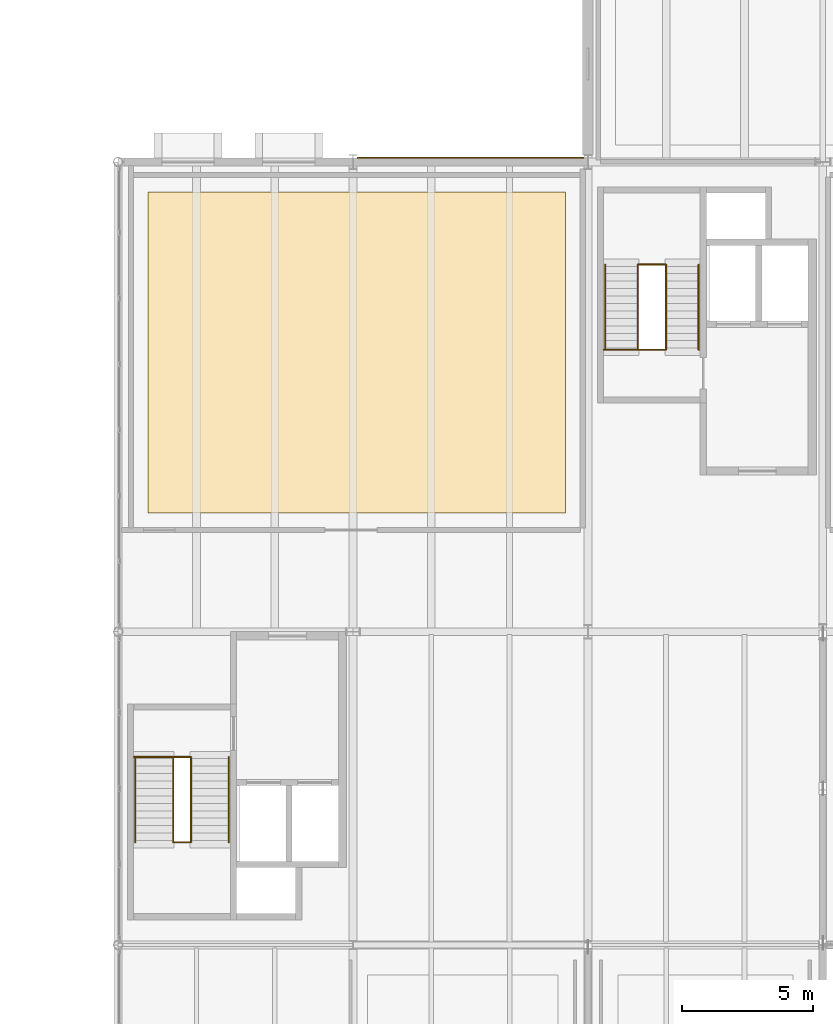
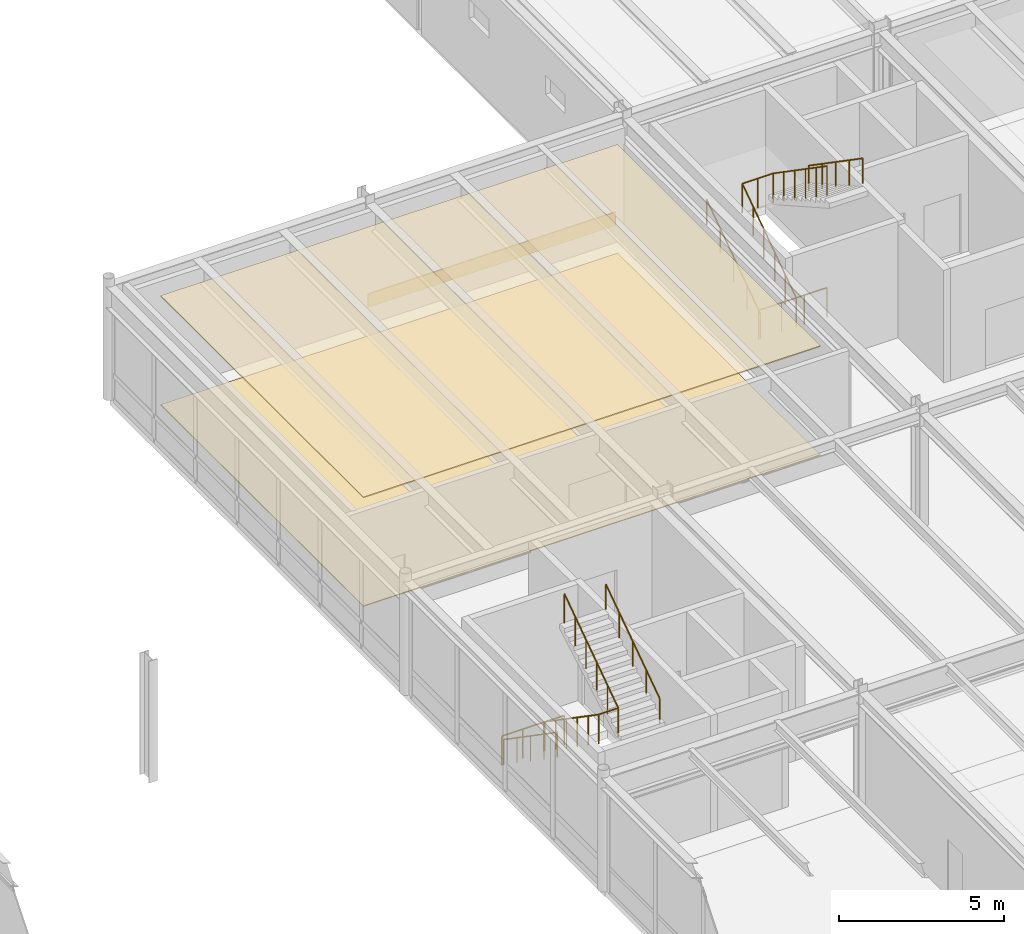
# One storey, part 125 of 127: 12 railings, 3 coverings.
"""IFC4 building model written with IfcOpenShell, lengths in metres."""

from ifc_helpers import new_model, si_unit, direction, frame, origin, origin_2d, place, context, subcontext, project, spatial, polyline, rectangle, circle, outline, extrude, material, layer, layer_set, type_object, element, save


model = new_model("IFC4")

# Units and contexts
model_context = context("Model", 3, precision=1e-05, world=origin(), true_north=direction((0.0, 1.0)))
body_context = subcontext(model_context, "Body", "Model", "MODEL_VIEW")
ifc_project = project(units=[si_unit("LENGTHUNIT", "METRE"), si_unit("AREAUNIT", "SQUARE_METRE"), si_unit("VOLUMEUNIT", "CUBIC_METRE"), si_unit("PLANEANGLEUNIT", "RADIAN"), si_unit("MASSUNIT", "GRAM", prefix="KILO")], contexts=[model_context])

# Site, building, storey
site_placement = place(None, origin())
site = spatial("IfcSite", under=ifc_project, at=site_placement, CompositionType="ELEMENT")
building_placement = place(site_placement, origin())
building = spatial("IfcBuilding", under=site, at=building_placement, Name="Montelvaro Courts of Justice", CompositionType="ELEMENT")
storey_placement = place(building_placement, frame((0.0, 0.0, 5.39990234375)))
storey = spatial("IfcBuildingStorey", under=building, at=storey_placement, Name="L01", CompositionType="ELEMENT", Elevation=5.39990234375)

# Coverings
ifc_material_1 = material(Name="Perforated acoustic gypsum ceiling")
ifc_layer_1 = layer(ifc_material_1, 0.0400390625)
ifc_layer_set_1 = layer_set([ifc_layer_1], Name="Perforated acoustic gypsum ceiling")
covering_type_1 = type_object("IfcCoveringType", Name="AcousticCeiling_Court", PredefinedType="CEILING", material=ifc_layer_set_1)
covering_1_placement = place(storey_placement, frame((0.0, 0.0, 4.02001953125)))
element("IfcCovering", 1, at=covering_1_placement, inside=storey, type_object=covering_type_1, Name="Acoustic Ceiling Panel AC-01 (L01-17)", PredefinedType="CEILING", context=body_context, shape_type="SweptSolid", body=[
    extrude(outline(polyline([(116.14990234375, 82.550048828125), (100.14990234375, 82.550048828125), (100.14990234375, 94.85009765625), (116.14990234375, 94.85009765625), (116.14990234375, 82.550048828125)])), origin(), (0.0, 0.0, 1.0), 0.0400390625),
])
ifc_material_2 = material(Name="White mineral precast concrete C45/55", Category="concrete")
ifc_layer_2 = layer(ifc_material_2, 0.0400390625)
ifc_layer_set_2 = layer_set([ifc_layer_2], Name="White mineral precast concrete C45/55")
covering_type_2 = type_object("IfcCoveringType", Name="BarCladding_GFRC", PredefinedType="CLADDING", material=ifc_layer_set_2)
covering_2_placement = place(storey_placement, frame((112.5, 96.162109375, 0.030029296875), z_axis=(0.0, 0.0, 1.0), x_axis=(-1.0, 0.0, 0.0)))
element("IfcCovering", 2, at=covering_2_placement, inside=storey, type_object=covering_type_2, Name="Horizontal White Bar Spandrel Cladding CL-01-004", PredefinedType="CLADDING", context=body_context, shape_type="SweptSolid", body=[
    extrude(rectangle(XDim=8.68408203125, YDim=0.0400390625, at=origin_2d()), origin(), (0.0, 0.0, 1.0), 0.5),
])

# Railings
ifc_material_3 = material(Name="Steel S355", Category="steel")
railing_type_1 = type_object("IfcRailingType", Name="InteriorGuard_1100", PredefinedType="BALUSTRADE", material=ifc_material_3)
railing_1_placement = place(storey_placement, frame((117.60009765625, 88.800048828125, 0.0)))
element("IfcRailing", 3, at=railing_1_placement, inside=storey, type_object=railing_type_1, Name="Stair Well Guard GR-02 ST-K3-L00-TLG", PredefinedType="BALUSTRADE", context=body_context, shape_type="SweptSolid", body=[
    extrude(circle(Radius=0.02392578125, at=origin_2d()), frame((0.0, 0.0, 1.076171875), z_axis=(1.0, 0.0, 0.0), x_axis=(0.0, 1.0, 0.0)), (0.0, 0.0, 1.0), 2.389892578125),
    extrude(circle(Radius=0.02099609375, at=origin_2d()), origin(), (0.0, 0.0, 1.0), 1.052001953125),
    extrude(circle(Radius=0.02099609375, at=origin_2d()), frame((0.796630859375, 0.0, 0.0)), (0.0, 0.0, 1.0), 1.052001953125),
    extrude(circle(Radius=0.02099609375, at=origin_2d()), frame((1.59326171875, 0.0, 0.0)), (0.0, 0.0, 1.0), 1.052001953125),
    extrude(circle(Radius=0.02099609375, at=origin_2d()), frame((2.389892578125, 0.0, 0.0)), (0.0, 0.0, 1.0), 1.052001953125),
])
railing_2_placement = place(storey_placement, frame((118.909912109375, 88.800048828125, 0.0)))
element("IfcRailing", 4, at=railing_2_placement, inside=storey, type_object=railing_type_1, Name="Stair Well Guard GR-02 ST-K3-L01-F1G", PredefinedType="BALUSTRADE", context=body_context, shape_type="SweptSolid", body=[
    extrude(circle(Radius=0.02392578125, at=origin_2d()), frame((0.0, 0.0, 1.076171875), z_axis=(0.0, 0.823407228882, 0.567450910146), x_axis=(-1.0, 0.0, 0.0)), (0.0, 0.0, 1.0), 3.965087890625),
    extrude(circle(Radius=0.02099609375, at=origin_2d()), origin(), (0.0, 0.0, 1.0), 1.052001953125),
    extrude(circle(Radius=0.02099609375, at=origin_2d()), frame((0.0, 0.653076171875, 0.449951171875)), (0.0, 0.0, 1.0), 1.052001953125),
    extrude(circle(Radius=0.02099609375, at=origin_2d()), frame((0.0, 1.305908203125, 0.89990234375)), (0.0, 0.0, 1.0), 1.052001953125),
    extrude(circle(Radius=0.02099609375, at=origin_2d()), frame((0.0, 1.958984375, 1.35009765625)), (0.0, 0.0, 1.0), 1.052001953125),
    extrude(circle(Radius=0.02099609375, at=origin_2d()), frame((0.0, 2.61181640625, 1.800048828125)), (0.0, 0.0, 1.0), 1.052001953125),
    extrude(circle(Radius=0.02099609375, at=origin_2d()), frame((0.0, 3.264892578125, 2.25)), (0.0, 0.0, 1.0), 1.052001953125),
])
railing_3_placement = place(storey_placement, frame((119.989990234375, 92.06494140625, 2.25)))
element("IfcRailing", 5, at=railing_3_placement, inside=storey, type_object=railing_type_1, Name="Stair Well Guard GR-02 ST-K3-L01-F2G", PredefinedType="BALUSTRADE", context=body_context, shape_type="SweptSolid", body=[
    extrude(circle(Radius=0.02392578125, at=origin_2d()), frame((0.0, 0.0, 1.076171875), z_axis=(0.0, -0.823407228882, 0.567450910146), x_axis=(1.0, 0.0, 0.0)), (0.0, 0.0, 1.0), 3.965087890625),
    extrude(circle(Radius=0.02099609375, at=origin_2d()), origin(), (0.0, 0.0, 1.0), 1.052001953125),
    extrude(circle(Radius=0.02099609375, at=origin_2d()), frame((0.0, -0.653076171875, 0.449951171875)), (0.0, 0.0, 1.0), 1.052001953125),
    extrude(circle(Radius=0.02099609375, at=origin_2d()), frame((0.0, -1.305908203125, 0.89990234375)), (0.0, 0.0, 1.0), 1.052001953125),
    extrude(circle(Radius=0.02099609375, at=origin_2d()), frame((0.0, -1.958984375, 1.35009765625)), (0.0, 0.0, 1.0), 1.052001953125),
    extrude(circle(Radius=0.02099609375, at=origin_2d()), frame((0.0, -2.61181640625, 1.800048828125)), (0.0, 0.0, 1.0), 1.052001953125),
    extrude(circle(Radius=0.02099609375, at=origin_2d()), frame((0.0, -3.264892578125, 2.25)), (0.0, 0.0, 1.0), 1.052001953125),
])
railing_4_placement = place(storey_placement, frame((118.909912109375, 92.06494140625, 2.25)))
element("IfcRailing", 6, at=railing_4_placement, inside=storey, type_object=railing_type_1, Name="Stair Well Guard GR-02 ST-K3-L01-MLG", PredefinedType="BALUSTRADE", context=body_context, shape_type="SweptSolid", body=[
    extrude(circle(Radius=0.02392578125, at=origin_2d()), frame((0.0, 0.0, 1.076171875), z_axis=(1.0, 0.0, 0.0), x_axis=(0.0, 1.0, 0.0)), (0.0, 0.0, 1.0), 1.080078125),
    extrude(circle(Radius=0.02099609375, at=origin_2d()), origin(), (0.0, 0.0, 1.0), 1.052001953125),
    extrude(circle(Radius=0.02099609375, at=origin_2d()), frame((0.5400390625, 0.0, 0.0)), (0.0, 0.0, 1.0), 1.052001953125),
    extrude(circle(Radius=0.02099609375, at=origin_2d()), frame((1.080078125, 0.0, 0.0)), (0.0, 0.0, 1.0), 1.052001953125),
])
railing_5_placement = place(storey_placement, frame((99.60009765625, 73.199951171875, 0.0)))
element("IfcRailing", 7, at=railing_5_placement, inside=storey, type_object=railing_type_1, Name="Stair Well Guard GR-02 ST-K4-L00-TLG", PredefinedType="BALUSTRADE", context=body_context, shape_type="SweptSolid", body=[
    extrude(circle(Radius=0.02392578125, at=origin_2d()), frame((0.0, 0.0, 1.076171875), z_axis=(1.0, 0.0, 0.0), x_axis=(0.0, 1.0, 0.0)), (0.0, 0.0, 1.0), 2.18994140625),
    extrude(circle(Radius=0.02099609375, at=origin_2d()), origin(), (0.0, 0.0, 1.0), 1.052001953125),
    extrude(circle(Radius=0.02099609375, at=origin_2d()), frame((0.72998046875, 0.0, 0.0)), (0.0, 0.0, 1.0), 1.052001953125),
    extrude(circle(Radius=0.02099609375, at=origin_2d()), frame((1.4599609375, 0.0, 0.0)), (0.0, 0.0, 1.0), 1.052001953125),
    extrude(circle(Radius=0.02099609375, at=origin_2d()), frame((2.18994140625, 0.0, 0.0)), (0.0, 0.0, 1.0), 1.052001953125),
])
railing_6_placement = place(storey_placement, frame((101.110107421875, 73.199951171875, 0.0)))
element("IfcRailing", 8, at=railing_6_placement, inside=storey, type_object=railing_type_1, Name="Stair Well Guard GR-02 ST-K4-L01-F1G", PredefinedType="BALUSTRADE", context=body_context, shape_type="SweptSolid", body=[
    extrude(circle(Radius=0.02392578125, at=origin_2d()), frame((0.0, 0.0, 1.076171875), z_axis=(0.0, -0.823407228882, 0.567450910146), x_axis=(1.0, 0.0, 0.0)), (0.0, 0.0, 1.0), 3.965087890625),
    extrude(circle(Radius=0.02099609375, at=origin_2d()), origin(), (0.0, 0.0, 1.0), 1.052001953125),
    extrude(circle(Radius=0.02099609375, at=origin_2d()), frame((0.0, -0.653076171875, 0.449951171875)), (0.0, 0.0, 1.0), 1.052001953125),
    extrude(circle(Radius=0.02099609375, at=origin_2d()), frame((0.0, -1.305908203125, 0.89990234375)), (0.0, 0.0, 1.0), 1.052001953125),
    extrude(circle(Radius=0.02099609375, at=origin_2d()), frame((0.0, -1.958984375, 1.35009765625)), (0.0, 0.0, 1.0), 1.052001953125),
    extrude(circle(Radius=0.02099609375, at=origin_2d()), frame((0.0, -2.61181640625, 1.800048828125)), (0.0, 0.0, 1.0), 1.052001953125),
    extrude(circle(Radius=0.02099609375, at=origin_2d()), frame((0.0, -3.264892578125, 2.25)), (0.0, 0.0, 1.0), 1.052001953125),
])
railing_7_placement = place(storey_placement, frame((101.7900390625, 69.93505859375, 2.25)))
element("IfcRailing", 9, at=railing_7_placement, inside=storey, type_object=railing_type_1, Name="Stair Well Guard GR-02 ST-K4-L01-F2G", PredefinedType="BALUSTRADE", context=body_context, shape_type="SweptSolid", body=[
    extrude(circle(Radius=0.02392578125, at=origin_2d()), frame((0.0, 0.0, 1.076171875), z_axis=(0.0, 0.823407228882, 0.567450910146), x_axis=(-1.0, 0.0, 0.0)), (0.0, 0.0, 1.0), 3.965087890625),
    extrude(circle(Radius=0.02099609375, at=origin_2d()), origin(), (0.0, 0.0, 1.0), 1.052001953125),
    extrude(circle(Radius=0.02099609375, at=origin_2d()), frame((0.0, 0.653076171875, 0.449951171875)), (0.0, 0.0, 1.0), 1.052001953125),
    extrude(circle(Radius=0.02099609375, at=origin_2d()), frame((0.0, 1.305908203125, 0.89990234375)), (0.0, 0.0, 1.0), 1.052001953125),
    extrude(circle(Radius=0.02099609375, at=origin_2d()), frame((0.0, 1.958984375, 1.35009765625)), (0.0, 0.0, 1.0), 1.052001953125),
    extrude(circle(Radius=0.02099609375, at=origin_2d()), frame((0.0, 2.61181640625, 1.800048828125)), (0.0, 0.0, 1.0), 1.052001953125),
    extrude(circle(Radius=0.02099609375, at=origin_2d()), frame((0.0, 3.264892578125, 2.25)), (0.0, 0.0, 1.0), 1.052001953125),
])
railing_8_placement = place(storey_placement, frame((101.110107421875, 69.93505859375, 2.25)))
element("IfcRailing", 10, at=railing_8_placement, inside=storey, type_object=railing_type_1, Name="Stair Well Guard GR-02 ST-K4-L01-MLG", PredefinedType="BALUSTRADE", context=body_context, shape_type="SweptSolid", body=[
    extrude(circle(Radius=0.02392578125, at=origin_2d()), frame((0.0, 0.0, 1.076171875), z_axis=(1.0, 0.0, 0.0), x_axis=(0.0, 1.0, 0.0)), (0.0, 0.0, 1.0), 0.679931640625),
    extrude(circle(Radius=0.02099609375, at=origin_2d()), origin(), (0.0, 0.0, 1.0), 1.052001953125),
    extrude(circle(Radius=0.02099609375, at=origin_2d()), frame((0.679931640625, 0.0, 0.0)), (0.0, 0.0, 1.0), 1.052001953125),
])

# Covering
ifc_material_4 = material(Name="Alicante limestone judicial flooring", Category="masonry")
ifc_layer_3 = layer(ifc_material_4, 0.030029296875)
ifc_layer_set_3 = layer_set([ifc_layer_3], Name="Alicante limestone judicial flooring")
covering_type_3 = type_object("IfcCoveringType", Name="JudicialStoneFlooring", PredefinedType="FLOORING", material=ifc_layer_set_3)
covering_3_placement = place(storey_placement, origin())
element("IfcCovering", 11, at=covering_3_placement, inside=storey, type_object=covering_type_3, Name="Judicial Stone Flooring FLR-01 (L01-17)", PredefinedType="FLOORING", context=body_context, shape_type="SweptSolid", body=[
    extrude(outline(polyline([(116.14990234375, 82.550048828125), (100.14990234375, 82.550048828125), (100.14990234375, 94.85009765625), (116.14990234375, 94.85009765625), (116.14990234375, 82.550048828125)])), origin(), (0.0, 0.0, 1.0), 0.030029296875),
])

# Railings
ifc_material_5 = material(Name="Austenitic stainless steel EN 1.4401", Category="steel")
railing_type_2 = type_object("IfcRailingType", Name="StairHandrail_950", PredefinedType="HANDRAIL", material=ifc_material_5)
railing_9_placement = place(storey_placement, frame((117.659912109375, 88.800048828125, 0.0)))
element("IfcRailing", 12, at=railing_9_placement, inside=storey, type_object=railing_type_2, Name="Stair Pitch Handrail HR-01 ST-K3-L01-F1H", PredefinedType="HANDRAIL", context=body_context, shape_type="SweptSolid", body=[
    extrude(circle(Radius=0.02392578125, at=origin_2d()), frame((0.0, 0.0, 0.92578125), z_axis=(0.0, 0.823407228882, 0.567450910146), x_axis=(-1.0, 0.0, 0.0)), (0.0, 0.0, 1.0), 3.965087890625),
    extrude(circle(Radius=0.02099609375, at=origin_2d()), origin(), (0.0, 0.0, 1.0), 0.90185546875),
    extrude(circle(Radius=0.02099609375, at=origin_2d()), frame((0.0, 0.816162109375, 0.5625)), (0.0, 0.0, 1.0), 0.90185546875),
    extrude(circle(Radius=0.02099609375, at=origin_2d()), frame((0.0, 1.63232421875, 1.125)), (0.0, 0.0, 1.0), 0.90185546875),
    extrude(circle(Radius=0.02099609375, at=origin_2d()), frame((0.0, 2.44873046875, 1.6875)), (0.0, 0.0, 1.0), 0.90185546875),
    extrude(circle(Radius=0.02099609375, at=origin_2d()), frame((0.0, 3.264892578125, 2.25)), (0.0, 0.0, 1.0), 0.90185546875),
])
for number, where, name in (
    (13, (121.239990234375, 92.06494140625, 2.25), "Stair Pitch Handrail HR-01 ST-K3-L01-F2H"),
    (14, (99.659912109375, 73.199951171875, 0.0), "Stair Pitch Handrail HR-01 ST-K4-L01-F1H"),
):
    element("IfcRailing", number, at=place(storey_placement, frame(where)), inside=storey, type_object=railing_type_2, Name=name, PredefinedType="HANDRAIL", context=body_context, shape_type="SweptSolid", body=[
        extrude(circle(Radius=0.02392578125, at=origin_2d()), frame((0.0, 0.0, 0.92578125), z_axis=(0.0, -0.823407228882, 0.567450910146), x_axis=(1.0, 0.0, 0.0)), (0.0, 0.0, 1.0), 3.965087890625),
        extrude(circle(Radius=0.02099609375, at=origin_2d()), origin(), (0.0, 0.0, 1.0), 0.90185546875),
        extrude(circle(Radius=0.02099609375, at=origin_2d()), frame((0.0, -0.816162109375, 0.5625)), (0.0, 0.0, 1.0), 0.90185546875),
        extrude(circle(Radius=0.02099609375, at=origin_2d()), frame((0.0, -1.63232421875, 1.125)), (0.0, 0.0, 1.0), 0.90185546875),
        extrude(circle(Radius=0.02099609375, at=origin_2d()), frame((0.0, -2.44873046875, 1.6875)), (0.0, 0.0, 1.0), 0.90185546875),
        extrude(circle(Radius=0.02099609375, at=origin_2d()), frame((0.0, -3.264892578125, 2.25)), (0.0, 0.0, 1.0), 0.90185546875),
    ])
railing_10_placement = place(storey_placement, frame((103.239990234375, 69.93505859375, 2.25)))
element("IfcRailing", 15, at=railing_10_placement, inside=storey, type_object=railing_type_2, Name="Stair Pitch Handrail HR-01 ST-K4-L01-F2H", PredefinedType="HANDRAIL", context=body_context, shape_type="SweptSolid", body=[
    extrude(circle(Radius=0.02392578125, at=origin_2d()), frame((0.0, 0.0, 0.92578125), z_axis=(0.0, 0.823407228882, 0.567450910146), x_axis=(-1.0, 0.0, 0.0)), (0.0, 0.0, 1.0), 3.965087890625),
    extrude(circle(Radius=0.02099609375, at=origin_2d()), origin(), (0.0, 0.0, 1.0), 0.90185546875),
    extrude(circle(Radius=0.02099609375, at=origin_2d()), frame((0.0, 0.816162109375, 0.5625)), (0.0, 0.0, 1.0), 0.90185546875),
    extrude(circle(Radius=0.02099609375, at=origin_2d()), frame((0.0, 1.63232421875, 1.125)), (0.0, 0.0, 1.0), 0.90185546875),
    extrude(circle(Radius=0.02099609375, at=origin_2d()), frame((0.0, 2.44873046875, 1.6875)), (0.0, 0.0, 1.0), 0.90185546875),
    extrude(circle(Radius=0.02099609375, at=origin_2d()), frame((0.0, 3.264892578125, 2.25)), (0.0, 0.0, 1.0), 0.90185546875),
])

save(model, "model.ifc")
